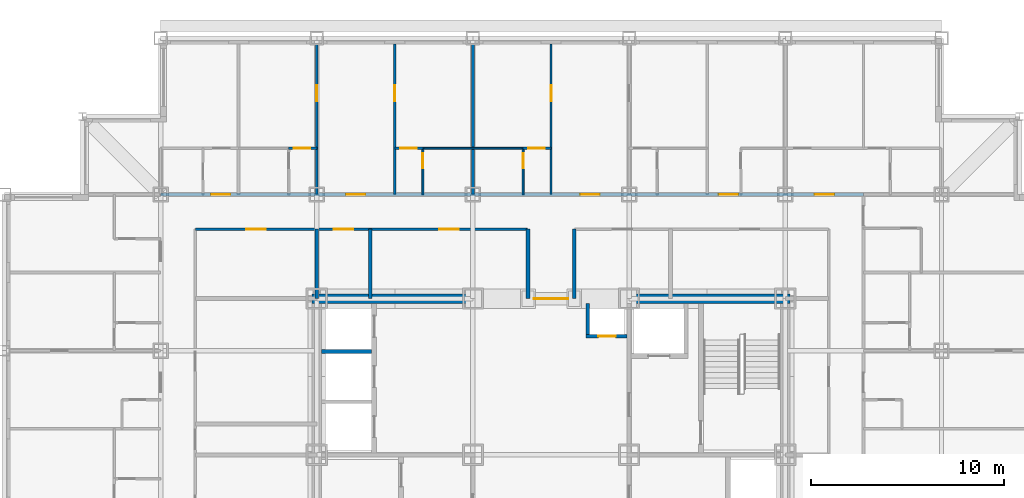
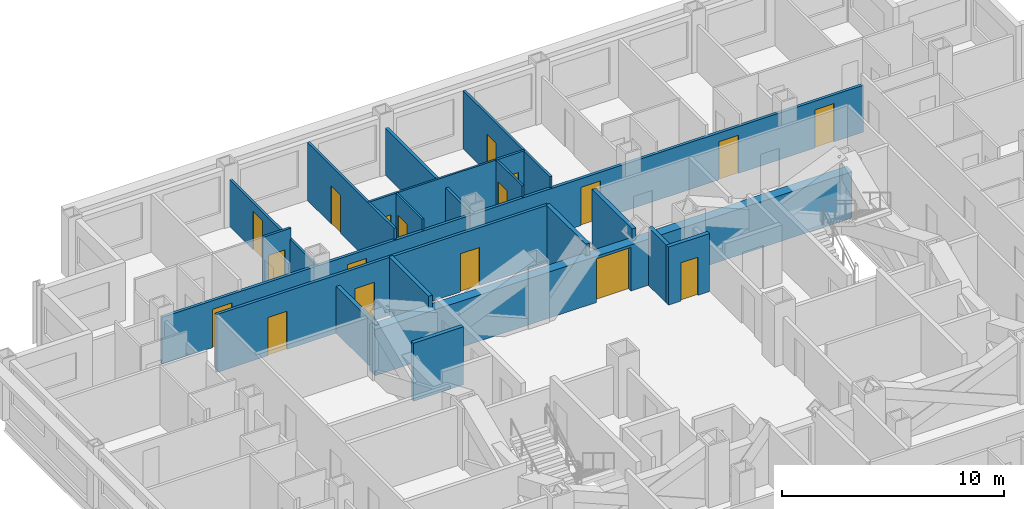
# One storey, part 10 of 13: 20 walls, 18 doors, 18 openings.
"""IFC4 building model written with IfcOpenShell, lengths in metres."""

from ifc_helpers import new_model, si_unit, direction, frame, frame_2d, origin, place, context, subcontext, project, spatial, rectangle, extrude, material, layer, layer_set, type_object, element, fill, save


model = new_model("IFC4")

# Units and contexts
model_context = context("Model", 3, precision=1e-05, world=origin(), true_north=direction((0.0, 1.0)))
body_context = subcontext(model_context, "Body", "Model", "MODEL_VIEW")
ifc_project = project(units=[si_unit("LENGTHUNIT", "METRE"), si_unit("AREAUNIT", "SQUARE_METRE"), si_unit("VOLUMEUNIT", "CUBIC_METRE"), si_unit("PLANEANGLEUNIT", "RADIAN"), si_unit("MASSUNIT", "GRAM", prefix="KILO")], contexts=[model_context])

# Site, building, storey
site_placement = place(None, origin())
site = spatial("IfcSite", under=ifc_project, at=site_placement, CompositionType="ELEMENT")
building_placement = place(site_placement, origin())
building = spatial("IfcBuilding", under=site, at=building_placement, Name="Kopane Lantern Tower", CompositionType="ELEMENT")
storey_placement = place(building_placement, frame((0.0, 0.0, 134.0)))
storey = spatial("IfcBuildingStorey", under=building, at=storey_placement, Name="L34", CompositionType="ELEMENT", Elevation=134.0)

# Wall, opening, door
ifc_material_1 = material(Name="Gypsum board on steel studs", Category="steel")
ifc_layer_1 = layer(ifc_material_1, 0.1201171875)
ifc_layer_set_1 = layer_set([ifc_layer_1], Name="APARTMENT INTERNAL WALL 120")
wall_type_1 = type_object("IfcWallType", Name="APARTMENT INTERNAL WALL 120", PredefinedType="PARTITIONING", material=ifc_layer_set_1)
wall_1_placement = place(storey_placement, frame((16.199951171875, 45.89990234375, 0.0), z_axis=(0.0, 0.0, 1.0), x_axis=(0.0, 1.0, 0.0)))
wall_1 = element("IfcWall", 1, at=wall_1_placement, inside=storey, type_object=wall_type_1, Name="Apartment Internal Wall 120 L34", PredefinedType="PARTITIONING", context=body_context, shape_type="SweptSolid", body=[
    extrude(rectangle(XDim=7.800048828125, YDim=0.1201171875, at=frame_2d((3.89990234375, 0.0))), origin(), (0.0, 0.0, 1.0), 2.577880859375),
])
opening_1_placement = place(wall_1_placement, frame((4.824951171875, 0.0, 0.0)))
opening_1 = element("IfcOpeningElement", 2, at=opening_1_placement, cuts=wall_1, Name="Opening L34-033", PredefinedType="OPENING", context=body_context, shape_type="SweptSolid", body=[
    extrude(rectangle(XDim=0.85009765625, YDim=2.10009765625, at=frame_2d((0.425048828125, 1.050048828125))), frame((0.0, 0.070068359375, 0.0), z_axis=(0.0, -1.0, 0.0), x_axis=(1.0, 0.0, 0.0)), (0.0, 0.0, 1.0), 0.14013671875),
])
ifc_material_2 = material(Name="Timber door set", Category="wood")
door_type_1 = type_object("IfcDoorType", Name="DOOR D4 850x2100", OperationType="SINGLE_SWING_LEFT", PredefinedType="DOOR", material=ifc_material_2)
door_1_placement = place(opening_1_placement, origin())
door_1 = element("IfcDoor", 3, at=door_1_placement, inside=storey, type_object=door_type_1, Name="Door L34-033", OperationType="SINGLE_SWING_LEFT", OverallHeight=2.10009765625, OverallWidth=0.85009765625, PredefinedType="DOOR", context=body_context, shape_type="SweptSolid", body=[
    extrude(rectangle(XDim=0.85009765625, YDim=2.10009765625, at=frame_2d((0.425048828125, 1.050048828125))), frame((0.0, 0.02490234375, 0.0), z_axis=(0.0, -1.0, 0.0), x_axis=(1.0, 0.0, 0.0)), (0.0, 0.0, 1.0), 0.050048828125),
])
fill(opening_1, door_1)

wall_2_placement = place(storey_placement, frame((20.25, 45.89990234375, 0.0), z_axis=(0.0, 0.0, 1.0), x_axis=(0.0, 1.0, 0.0)))
wall_2 = element("IfcWall", 4, at=wall_2_placement, inside=storey, type_object=wall_type_1, Name="Apartment Internal Wall 120 L34", PredefinedType="PARTITIONING", context=body_context, shape_type="SweptSolid", body=[
    extrude(rectangle(XDim=7.800048828125, YDim=0.1201171875, at=frame_2d((3.89990234375, 0.0))), origin(), (0.0, 0.0, 1.0), 3.18994140625),
])
opening_2_placement = place(wall_2_placement, frame((4.824951171875, 0.0, 0.0)))
opening_2 = element("IfcOpeningElement", 5, at=opening_2_placement, cuts=wall_2, Name="Opening L34-035", PredefinedType="OPENING", context=body_context, shape_type="SweptSolid", body=[
    extrude(rectangle(XDim=0.85009765625, YDim=2.10009765625, at=frame_2d((0.425048828125, 1.050048828125))), frame((0.0, 0.070068359375, 0.0), z_axis=(0.0, -1.0, 0.0), x_axis=(1.0, 0.0, 0.0)), (0.0, 0.0, 1.0), 0.14013671875),
])
door_2_placement = place(opening_2_placement, origin())
door_2 = element("IfcDoor", 6, at=door_2_placement, inside=storey, type_object=door_type_1, Name="Door L34-035", OperationType="SINGLE_SWING_RIGHT", OverallHeight=2.10009765625, OverallWidth=0.85009765625, PredefinedType="DOOR", context=body_context, shape_type="SweptSolid", body=[
    extrude(rectangle(XDim=0.85009765625, YDim=2.10009765625, at=frame_2d((0.425048828125, 1.050048828125))), frame((0.0, 0.02490234375, 0.0), z_axis=(0.0, -1.0, 0.0), x_axis=(1.0, 0.0, 0.0)), (0.0, 0.0, 1.0), 0.050048828125),
])
fill(opening_2, door_2)

wall_3_placement = place(storey_placement, frame((28.35009765625, 45.89990234375, 0.0), z_axis=(0.0, 0.0, 1.0), x_axis=(0.0, 1.0, 0.0)))
wall_3 = element("IfcWall", 7, at=wall_3_placement, inside=storey, type_object=wall_type_1, Name="Apartment Internal Wall 120 L34", PredefinedType="PARTITIONING", context=body_context, shape_type="SweptSolid", body=[
    extrude(rectangle(XDim=7.800048828125, YDim=0.1201171875, at=frame_2d((3.89990234375, 0.0))), origin(), (0.0, 0.0, 1.0), 3.18994140625),
])
opening_3_placement = place(wall_3_placement, frame((4.824951171875, 0.0, 0.0)))
opening_3 = element("IfcOpeningElement", 8, at=opening_3_placement, cuts=wall_3, Name="Opening L34-038", PredefinedType="OPENING", context=body_context, shape_type="SweptSolid", body=[
    extrude(rectangle(XDim=0.85009765625, YDim=2.10009765625, at=frame_2d((0.425048828125, 1.050048828125))), frame((0.0, 0.070068359375, 0.0), z_axis=(0.0, -1.0, 0.0), x_axis=(1.0, 0.0, 0.0)), (0.0, 0.0, 1.0), 0.14013671875),
])
door_3_placement = place(opening_3_placement, origin())
door_3 = element("IfcDoor", 9, at=door_3_placement, inside=storey, type_object=door_type_1, Name="Door L34-038", OperationType="SINGLE_SWING_LEFT", OverallHeight=2.10009765625, OverallWidth=0.85009765625, PredefinedType="DOOR", context=body_context, shape_type="SweptSolid", body=[
    extrude(rectangle(XDim=0.85009765625, YDim=2.10009765625, at=frame_2d((0.425048828125, 1.050048828125))), frame((0.0, 0.02490234375, 0.0), z_axis=(0.0, -1.0, 0.0), x_axis=(1.0, 0.0, 0.0)), (0.0, 0.0, 1.0), 0.050048828125),
])
fill(opening_3, door_3)

wall_4_placement = place(storey_placement, frame((14.739990234375, 48.300048828125, 0.0), z_axis=(0.0, 0.0, 1.0), x_axis=(1.0, 0.0, 0.0)))
wall_4 = element("IfcWall", 10, at=wall_4_placement, inside=storey, type_object=wall_type_1, Name="Apartment Internal Wall 120 L34", PredefinedType="PARTITIONING", context=body_context, shape_type="SweptSolid", body=[
    extrude(rectangle(XDim=1.4599609375, YDim=0.1201171875, at=frame_2d((0.72998046875, 0.0))), origin(), (0.0, 0.0, 1.0), 3.18994140625),
])
opening_4_placement = place(wall_4_placement, frame((0.27490234375, 0.0, 0.0)))
opening_4 = element("IfcOpeningElement", 11, at=opening_4_placement, cuts=wall_4, Name="Opening L34-090", PredefinedType="OPENING", context=body_context, shape_type="SweptSolid", body=[
    extrude(rectangle(XDim=0.85009765625, YDim=2.10009765625, at=frame_2d((0.425048828125, 1.050048828125))), frame((0.0, 0.070068359375, 0.0), z_axis=(0.0, -1.0, 0.0), x_axis=(1.0, 0.0, 0.0)), (0.0, 0.0, 1.0), 0.14013671875),
])
door_4_placement = place(opening_4_placement, origin())
door_4 = element("IfcDoor", 12, at=door_4_placement, inside=storey, type_object=door_type_1, Name="Door L34-090", OperationType="SINGLE_SWING_RIGHT", OverallHeight=2.10009765625, OverallWidth=0.85009765625, PredefinedType="DOOR", context=body_context, shape_type="SweptSolid", body=[
    extrude(rectangle(XDim=0.85009765625, YDim=2.10009765625, at=frame_2d((0.425048828125, 1.050048828125))), frame((0.0, 0.02490234375, 0.0), z_axis=(0.0, -1.0, 0.0), x_axis=(1.0, 0.0, 0.0)), (0.0, 0.0, 1.0), 0.050048828125),
])
fill(opening_4, door_4)

wall_5_placement = place(storey_placement, frame((20.25, 48.300048828125, 0.0), z_axis=(0.0, 0.0, 1.0), x_axis=(1.0, 0.0, 0.0)))
wall_5 = element("IfcWall", 13, at=wall_5_placement, inside=storey, type_object=wall_type_1, Name="Apartment Internal Wall 120 L34", PredefinedType="PARTITIONING", context=body_context, shape_type="SweptSolid", body=[
    extrude(rectangle(XDim=1.4599609375, YDim=0.1201171875, at=frame_2d((0.72998046875, 0.0))), origin(), (0.0, 0.0, 1.0), 3.18994140625),
])
opening_5_placement = place(wall_5_placement, frame((0.27490234375, 0.0, 0.0)))
opening_5 = element("IfcOpeningElement", 14, at=opening_5_placement, cuts=wall_5, Name="Opening L34-091", PredefinedType="OPENING", context=body_context, shape_type="SweptSolid", body=[
    extrude(rectangle(XDim=0.85009765625, YDim=2.10009765625, at=frame_2d((0.425048828125, 1.050048828125))), frame((0.0, 0.070068359375, 0.0), z_axis=(0.0, -1.0, 0.0), x_axis=(1.0, 0.0, 0.0)), (0.0, 0.0, 1.0), 0.14013671875),
])
door_5_placement = place(opening_5_placement, origin())
door_5 = element("IfcDoor", 15, at=door_5_placement, inside=storey, type_object=door_type_1, Name="Door L34-091", OperationType="SINGLE_SWING_LEFT", OverallHeight=2.10009765625, OverallWidth=0.85009765625, PredefinedType="DOOR", context=body_context, shape_type="SweptSolid", body=[
    extrude(rectangle(XDim=0.85009765625, YDim=2.10009765625, at=frame_2d((0.425048828125, 1.050048828125))), frame((0.0, 0.02490234375, 0.0), z_axis=(0.0, -1.0, 0.0), x_axis=(1.0, 0.0, 0.0)), (0.0, 0.0, 1.0), 0.050048828125),
])
fill(opening_5, door_5)

wall_6_placement = place(storey_placement, frame((26.889892578125, 48.300048828125, 0.0), z_axis=(0.0, 0.0, 1.0), x_axis=(1.0, 0.0, 0.0)))
wall_6 = element("IfcWall", 16, at=wall_6_placement, inside=storey, type_object=wall_type_1, Name="Apartment Internal Wall 120 L34", PredefinedType="PARTITIONING", context=body_context, shape_type="SweptSolid", body=[
    extrude(rectangle(XDim=1.460205078125, YDim=0.1201171875, at=frame_2d((0.72998046875, 0.0))), origin(), (0.0, 0.0, 1.0), 3.18994140625),
])
opening_6_placement = place(wall_6_placement, frame((0.27490234375, 0.0, 0.0)))
opening_6 = element("IfcOpeningElement", 17, at=opening_6_placement, cuts=wall_6, Name="Opening L34-092", PredefinedType="OPENING", context=body_context, shape_type="SweptSolid", body=[
    extrude(rectangle(XDim=0.85009765625, YDim=2.10009765625, at=frame_2d((0.425048828125, 1.050048828125))), frame((0.0, 0.070068359375, 0.0), z_axis=(0.0, -1.0, 0.0), x_axis=(1.0, 0.0, 0.0)), (0.0, 0.0, 1.0), 0.14013671875),
])
door_6_placement = place(opening_6_placement, origin())
door_6 = element("IfcDoor", 18, at=door_6_placement, inside=storey, type_object=door_type_1, Name="Door L34-092", OperationType="SINGLE_SWING_RIGHT", OverallHeight=2.10009765625, OverallWidth=0.85009765625, PredefinedType="DOOR", context=body_context, shape_type="SweptSolid", body=[
    extrude(rectangle(XDim=0.85009765625, YDim=2.10009765625, at=frame_2d((0.425048828125, 1.050048828125))), frame((0.0, 0.02490234375, 0.0), z_axis=(0.0, -1.0, 0.0), x_axis=(1.0, 0.0, 0.0)), (0.0, 0.0, 1.0), 0.050048828125),
])
fill(opening_6, door_6)

# Wall
ifc_material_3 = material(Name="Moisture-resistant board on steel studs", Category="steel")
ifc_layer_2 = layer(ifc_material_3, 0.10009765625)
ifc_layer_set_2 = layer_set([ifc_layer_2], Name="BATHROOM WALL 100")
wall_type_2 = type_object("IfcWallType", Name="BATHROOM WALL 100", PredefinedType="PARTITIONING", material=ifc_layer_set_2)
wall_7_placement = place(storey_placement, frame((21.699951171875, 48.300048828125, 0.0), z_axis=(0.0, 0.0, 1.0), x_axis=(1.0, 0.0, 0.0)))
element("IfcWall", 19, at=wall_7_placement, inside=storey, type_object=wall_type_2, Name="Bathroom Wall 100 L34", PredefinedType="PARTITIONING", context=body_context, shape_type="SweptSolid", body=[
    extrude(rectangle(XDim=5.199951171875, YDim=0.10009765625, at=frame_2d((2.60009765625, 0.0))), origin(), (0.0, 0.0, 1.0), 3.18994140625),
])

# Wall, opening, door
wall_8_placement = place(storey_placement, frame((21.699951171875, 45.89990234375, 0.0), z_axis=(0.0, 0.0, 1.0), x_axis=(0.0, 1.0, 0.0)))
wall_8 = element("IfcWall", 20, at=wall_8_placement, inside=storey, type_object=wall_type_2, Name="Bathroom Wall 100 L34", PredefinedType="PARTITIONING", context=body_context, shape_type="SweptSolid", body=[
    extrude(rectangle(XDim=2.400146484375, YDim=0.10009765625, at=frame_2d((1.2001953125, 0.0))), origin(), (0.0, 0.0, 1.0), 3.18994140625),
])
opening_7_placement = place(wall_8_placement, frame((1.35009765625, 0.0, 0.0)))
opening_7 = element("IfcOpeningElement", 21, at=opening_7_placement, cuts=wall_8, Name="Opening L34-034", PredefinedType="OPENING", context=body_context, shape_type="SweptSolid", body=[
    extrude(rectangle(XDim=0.800048828125, YDim=2.10009765625, at=frame_2d((0.39990234375, 1.050048828125))), frame((0.0, 0.06005859375, 0.0), z_axis=(0.0, -1.0, 0.0), x_axis=(1.0, 0.0, 0.0)), (0.0, 0.0, 1.0), 0.1201171875),
])
ifc_material_4 = material(Name="Timber door set", Category="wood")
door_type_2 = type_object("IfcDoorType", Name="DOOR D2 800x2100", OperationType="SINGLE_SWING_LEFT", PredefinedType="DOOR", material=ifc_material_4)
door_7_placement = place(opening_7_placement, origin())
door_7 = element("IfcDoor", 22, at=door_7_placement, inside=storey, type_object=door_type_2, Name="Door L34-034", OperationType="SINGLE_SWING_RIGHT", OverallHeight=2.10009765625, OverallWidth=0.800048828125, PredefinedType="DOOR", context=body_context, shape_type="SweptSolid", body=[
    extrude(rectangle(XDim=0.800048828125, YDim=2.10009765625, at=frame_2d((0.39990234375, 1.050048828125))), frame((0.0, 0.02490234375, 0.0), z_axis=(0.0, -1.0, 0.0), x_axis=(1.0, 0.0, 0.0)), (0.0, 0.0, 1.0), 0.050048828125),
])
fill(opening_7, door_7)

wall_9_placement = place(storey_placement, frame((26.89990234375, 45.89990234375, 0.0), z_axis=(0.0, 0.0, 1.0), x_axis=(0.0, 1.0, 0.0)))
wall_9 = element("IfcWall", 23, at=wall_9_placement, inside=storey, type_object=wall_type_2, Name="Bathroom Wall 100 L34", PredefinedType="PARTITIONING", context=body_context, shape_type="SweptSolid", body=[
    extrude(rectangle(XDim=2.400146484375, YDim=0.10009765625, at=frame_2d((1.2001953125, 0.0))), origin(), (0.0, 0.0, 1.0), 3.18994140625),
])
opening_8_placement = place(wall_9_placement, frame((1.35009765625, 0.0, 0.0)))
opening_8 = element("IfcOpeningElement", 24, at=opening_8_placement, cuts=wall_9, Name="Opening L34-037", PredefinedType="OPENING", context=body_context, shape_type="SweptSolid", body=[
    extrude(rectangle(XDim=0.800048828125, YDim=2.10009765625, at=frame_2d((0.39990234375, 1.050048828125))), frame((0.0, 0.06005859375, 0.0), z_axis=(0.0, -1.0, 0.0), x_axis=(1.0, 0.0, 0.0)), (0.0, 0.0, 1.0), 0.1201171875),
])
door_8_placement = place(opening_8_placement, origin())
door_8 = element("IfcDoor", 25, at=door_8_placement, inside=storey, type_object=door_type_2, Name="Door L34-037", OperationType="SINGLE_SWING_LEFT", OverallHeight=2.10009765625, OverallWidth=0.800048828125, PredefinedType="DOOR", context=body_context, shape_type="SweptSolid", body=[
    extrude(rectangle(XDim=0.800048828125, YDim=2.10009765625, at=frame_2d((0.39990234375, 1.050048828125))), frame((0.0, 0.02490234375, 0.0), z_axis=(0.0, -1.0, 0.0), x_axis=(1.0, 0.0, 0.0)), (0.0, 0.0, 1.0), 0.050048828125),
])
fill(opening_8, door_8)

ifc_material_5 = material(Name="Gypsum shaft wall EI 120", Category="gypsum")
ifc_layer_3 = layer(ifc_material_5, 0.5)
ifc_layer_set_3 = layer_set([ifc_layer_3], Name="CORE PERIMETER WALL 500 EI 120")
wall_type_3 = type_object("IfcWallType", Name="CORE PERIMETER WALL 500 EI 120", PredefinedType="SOLIDWALL", material=ifc_layer_set_3)
wall_10_placement = place(storey_placement, frame((15.949951171875, 40.5, 0.0), z_axis=(0.0, 0.0, 1.0), x_axis=(1.0, 0.0, 0.0)))
wall_10 = element("IfcWall", 26, at=wall_10_placement, inside=storey, type_object=wall_type_3, Name="Core shaft wall L34 PN", PredefinedType="SOLIDWALL", context=body_context, shape_type="SweptSolid", body=[
    extrude(rectangle(XDim=24.800048828125, YDim=0.5, at=frame_2d((12.39990234375, 0.0))), origin(), (0.0, 0.0, 1.0), 2.5400390625),
])
opening_9_placement = place(wall_10_placement, frame((11.5, 0.0, 0.0)))
opening_9 = element("IfcOpeningElement", 27, at=opening_9_placement, cuts=wall_10, Name="Opening 34.CE-N", PredefinedType="OPENING", context=body_context, shape_type="SweptSolid", body=[
    extrude(rectangle(XDim=1.800048828125, YDim=2.39990234375, at=frame_2d((0.89990234375, 1.199951171875))), frame((0.0, 0.260009765625, 0.0), z_axis=(0.0, -1.0, 0.0), x_axis=(1.0, 0.0, 0.0)), (0.0, 0.0, 1.0), 0.52001953125),
])
ifc_material_6 = material(Name="Steel door set", Category="steel")
door_type_3 = type_object("IfcDoorType", Name="CORE ENTRY DOOR 1800x2400 FD60S", OperationType="DOUBLE_DOOR_SINGLE_SWING", PredefinedType="DOOR", material=ifc_material_6)
door_9_placement = place(opening_9_placement, origin())
door_9 = element("IfcDoor", 28, at=door_9_placement, inside=storey, type_object=door_type_3, Name="Core entry door L34 north", OperationType="DOUBLE_DOOR_SINGLE_SWING", OverallHeight=2.39990234375, OverallWidth=1.800048828125, PredefinedType="DOOR", context=body_context, shape_type="SweptSolid", body=[
    extrude(rectangle(XDim=1.800048828125, YDim=2.39990234375, at=frame_2d((0.89990234375, 1.199951171875))), frame((0.0, 0.02490234375, 0.0), z_axis=(0.0, -1.0, 0.0), x_axis=(1.0, 0.0, 0.0)), (0.0, 0.0, 1.0), 0.050048828125),
])
fill(opening_9, door_9)

# Wall, openings, doors
ifc_material_7 = material(Name="Gypsum board on steel studs", Category="steel")
ifc_layer_4 = layer(ifc_material_7, 0.14990234375)
ifc_layer_set_4 = layer_set([ifc_layer_4], Name="CORRIDOR WALL 150 EI 60")
wall_type_4 = type_object("IfcWallType", Name="CORRIDOR WALL 150 EI 60", PredefinedType="PARTITIONING", material=ifc_layer_set_4)
wall_11_placement = place(storey_placement, frame((8.10009765625, 45.89990234375, 0.0), z_axis=(0.0, 0.0, 1.0), x_axis=(1.0, 0.0, 0.0)))
wall_11 = element("IfcWall", 29, at=wall_11_placement, inside=storey, type_object=wall_type_4, Name="Corridor Wall 150 Ei 60 L34", PredefinedType="PARTITIONING", context=body_context, shape_type="SweptSolid", body=[
    extrude(rectangle(XDim=36.449951171875, YDim=0.14990234375, at=frame_2d((18.22509765625, 0.0))), origin(), (0.0, 0.0, 1.0), 2.577880859375),
])
opening_10_placement = place(wall_11_placement, frame((9.625, 0.0, 0.0)))
opening_10 = element("IfcOpeningElement", 30, at=opening_10_placement, cuts=wall_11, Name="Opening L34-031", PredefinedType="OPENING", context=body_context, shape_type="SweptSolid", body=[
    extrude(rectangle(XDim=1.0, YDim=2.10009765625, at=frame_2d((0.5, 1.050048828125))), frame((0.0, 0.0849609375, 0.0), z_axis=(0.0, -1.0, 0.0), x_axis=(1.0, 0.0, 0.0)), (0.0, 0.0, 1.0), 0.169921875),
])
opening_11_placement = place(wall_11_placement, frame((21.77490234375, 0.0, 0.0)))
opening_11 = element("IfcOpeningElement", 31, at=opening_11_placement, cuts=wall_11, Name="Opening L34-036", PredefinedType="OPENING", context=body_context, shape_type="SweptSolid", body=[
    extrude(rectangle(XDim=1.0, YDim=2.10009765625, at=frame_2d((0.5, 1.050048828125))), frame((0.0, 0.0849609375, 0.0), z_axis=(0.0, -1.0, 0.0), x_axis=(1.0, 0.0, 0.0)), (0.0, 0.0, 1.0), 0.169921875),
])
opening_12_placement = place(wall_11_placement, frame((28.949951171875, 0.0, 0.0)))
opening_12 = element("IfcOpeningElement", 32, at=opening_12_placement, cuts=wall_11, Name="Opening L34-042", PredefinedType="OPENING", context=body_context, shape_type="SweptSolid", body=[
    extrude(rectangle(XDim=1.0, YDim=2.10009765625, at=frame_2d((0.5, 1.050048828125))), frame((0.0, 0.0849609375, 0.0), z_axis=(0.0, -1.0, 0.0), x_axis=(1.0, 0.0, 0.0)), (0.0, 0.0, 1.0), 0.169921875),
])
opening_13_placement = place(wall_11_placement, frame((33.925048828125, 0.0, 0.0)))
opening_13 = element("IfcOpeningElement", 33, at=opening_13_placement, cuts=wall_11, Name="Opening L34-080", PredefinedType="OPENING", context=body_context, shape_type="SweptSolid", body=[
    extrude(rectangle(XDim=1.0, YDim=2.10009765625, at=frame_2d((0.5, 1.050048828125))), frame((0.0, 0.0849609375, 0.0), z_axis=(0.0, -1.0, 0.0), x_axis=(1.0, 0.0, 0.0)), (0.0, 0.0, 1.0), 0.169921875),
])
opening_14_placement = place(wall_11_placement, frame((2.625, 0.0, 0.0)))
opening_14 = element("IfcOpeningElement", 34, at=opening_14_placement, cuts=wall_11, Name="Opening L34-085", PredefinedType="OPENING", context=body_context, shape_type="SweptSolid", body=[
    extrude(rectangle(XDim=1.0, YDim=2.10009765625, at=frame_2d((0.5, 1.050048828125))), frame((0.0, 0.0849609375, 0.0), z_axis=(0.0, -1.0, 0.0), x_axis=(1.0, 0.0, 0.0)), (0.0, 0.0, 1.0), 0.169921875),
])
ifc_material_8 = material(Name="Steel door set", Category="steel")
door_type_4 = type_object("IfcDoorType", Name="DOOR D1 1000x2100 FD30S", OperationType="SINGLE_SWING_LEFT", PredefinedType="DOOR", material=ifc_material_8)
door_10_placement = place(opening_10_placement, origin())
door_10 = element("IfcDoor", 35, at=door_10_placement, inside=storey, type_object=door_type_4, Name="Door L34-031", OperationType="SINGLE_SWING_RIGHT", OverallHeight=2.10009765625, OverallWidth=1.0, PredefinedType="DOOR", context=body_context, shape_type="SweptSolid", body=[
    extrude(rectangle(XDim=1.0, YDim=2.10009765625, at=frame_2d((0.5, 1.050048828125))), frame((0.0, 0.02490234375, 0.0), z_axis=(0.0, -1.0, 0.0), x_axis=(1.0, 0.0, 0.0)), (0.0, 0.0, 1.0), 0.050048828125),
])
fill(opening_10, door_10)
door_11_placement = place(opening_11_placement, origin())
door_11 = element("IfcDoor", 36, at=door_11_placement, inside=storey, type_object=door_type_4, Name="Door L34-036", OperationType="SINGLE_SWING_LEFT", OverallHeight=2.10009765625, OverallWidth=1.0, PredefinedType="DOOR", context=body_context, shape_type="SweptSolid", body=[
    extrude(rectangle(XDim=1.0, YDim=2.10009765625, at=frame_2d((0.5, 1.050048828125))), frame((0.0, 0.02490234375, 0.0), z_axis=(0.0, -1.0, 0.0), x_axis=(1.0, 0.0, 0.0)), (0.0, 0.0, 1.0), 0.050048828125),
])
fill(opening_11, door_11)
door_12_placement = place(opening_12_placement, origin())
door_12 = element("IfcDoor", 37, at=door_12_placement, inside=storey, type_object=door_type_4, Name="Door L34-042", OperationType="SINGLE_SWING_RIGHT", OverallHeight=2.10009765625, OverallWidth=1.0, PredefinedType="DOOR", context=body_context, shape_type="SweptSolid", body=[
    extrude(rectangle(XDim=1.0, YDim=2.10009765625, at=frame_2d((0.5, 1.050048828125))), frame((0.0, 0.02490234375, 0.0), z_axis=(0.0, -1.0, 0.0), x_axis=(1.0, 0.0, 0.0)), (0.0, 0.0, 1.0), 0.050048828125),
])
fill(opening_12, door_12)
door_13_placement = place(opening_13_placement, origin())
door_13 = element("IfcDoor", 38, at=door_13_placement, inside=storey, type_object=door_type_4, Name="Door L34-080", OperationType="SINGLE_SWING_LEFT", OverallHeight=2.10009765625, OverallWidth=1.0, PredefinedType="DOOR", context=body_context, shape_type="SweptSolid", body=[
    extrude(rectangle(XDim=1.0, YDim=2.10009765625, at=frame_2d((0.5, 1.050048828125))), frame((0.0, 0.02490234375, 0.0), z_axis=(0.0, -1.0, 0.0), x_axis=(1.0, 0.0, 0.0)), (0.0, 0.0, 1.0), 0.050048828125),
])
fill(opening_13, door_13)
door_14_placement = place(opening_14_placement, origin())
door_14 = element("IfcDoor", 39, at=door_14_placement, inside=storey, type_object=door_type_4, Name="Door L34-085", OperationType="SINGLE_SWING_LEFT", OverallHeight=2.10009765625, OverallWidth=1.0, PredefinedType="DOOR", context=body_context, shape_type="SweptSolid", body=[
    extrude(rectangle(XDim=1.0, YDim=2.10009765625, at=frame_2d((0.5, 1.050048828125))), frame((0.0, 0.02490234375, 0.0), z_axis=(0.0, -1.0, 0.0), x_axis=(1.0, 0.0, 0.0)), (0.0, 0.0, 1.0), 0.050048828125),
])
fill(opening_14, door_14)

wall_12_placement = place(storey_placement, frame((27.139892578125, 44.10009765625, 0.0), z_axis=(0.0, 0.0, 1.0), x_axis=(-1.0, 0.0, 0.0)))
wall_12 = element("IfcWall", 40, at=wall_12_placement, inside=storey, type_object=wall_type_4, Name="Corridor Wall 150 Ei 60 L34", PredefinedType="PARTITIONING", context=body_context, shape_type="SweptSolid", body=[
    extrude(rectangle(XDim=17.239990234375, YDim=0.14990234375, at=frame_2d((8.6201171875, 0.0))), origin(), (0.0, 0.0, 1.0), 3.18994140625),
])
opening_15_placement = place(wall_12_placement, frame((13.590087890625, 0.0, 0.0)))
opening_15 = element("IfcOpeningElement", 41, at=opening_15_placement, cuts=wall_12, Name="Opening L34-013", PredefinedType="OPENING", context=body_context, shape_type="SweptSolid", body=[
    extrude(rectangle(XDim=1.0, YDim=2.10009765625, at=frame_2d((0.5, 1.050048828125))), frame((0.0, 0.0849609375, 0.0), z_axis=(0.0, -1.0, 0.0), x_axis=(1.0, 0.0, 0.0)), (0.0, 0.0, 1.0), 0.169921875),
])
opening_16_placement = place(wall_12_placement, frame((9.051025390625, 0.0, 0.0)))
opening_16 = element("IfcOpeningElement", 42, at=opening_16_placement, cuts=wall_12, Name="Opening L34-014", PredefinedType="OPENING", context=body_context, shape_type="SweptSolid", body=[
    extrude(rectangle(XDim=1.0, YDim=2.10009765625, at=frame_2d((0.5, 1.050048828125))), frame((0.0, 0.0849609375, 0.0), z_axis=(0.0, -1.0, 0.0), x_axis=(1.0, 0.0, 0.0)), (0.0, 0.0, 1.0), 0.169921875),
])
opening_17_placement = place(wall_12_placement, frame((3.576171875, 0.0, 0.0)))
opening_17 = element("IfcOpeningElement", 43, at=opening_17_placement, cuts=wall_12, Name="Opening L34-015", PredefinedType="OPENING", context=body_context, shape_type="SweptSolid", body=[
    extrude(rectangle(XDim=1.0, YDim=2.10009765625, at=frame_2d((0.5, 1.050048828125))), frame((0.0, 0.0849609375, 0.0), z_axis=(0.0, -1.0, 0.0), x_axis=(1.0, 0.0, 0.0)), (0.0, 0.0, 1.0), 0.169921875),
])
ifc_material_9 = material(Name="Steel door set", Category="steel")
door_type_5 = type_object("IfcDoorType", Name="DOOR D5 1000x2100 FD60", OperationType="SINGLE_SWING_LEFT", PredefinedType="DOOR", material=ifc_material_9)
door_15_placement = place(opening_15_placement, origin())
door_15 = element("IfcDoor", 44, at=door_15_placement, inside=storey, type_object=door_type_5, Name="Door L34-013", OperationType="SINGLE_SWING_LEFT", OverallHeight=2.10009765625, OverallWidth=1.0, PredefinedType="DOOR", context=body_context, shape_type="SweptSolid", body=[
    extrude(rectangle(XDim=1.0, YDim=2.10009765625, at=frame_2d((0.5, 1.050048828125))), frame((0.0, 0.02490234375, 0.0), z_axis=(0.0, -1.0, 0.0), x_axis=(1.0, 0.0, 0.0)), (0.0, 0.0, 1.0), 0.050048828125),
])
fill(opening_15, door_15)
door_16_placement = place(opening_16_placement, origin())
door_16 = element("IfcDoor", 45, at=door_16_placement, inside=storey, type_object=door_type_5, Name="Door L34-014", OperationType="SINGLE_SWING_RIGHT", OverallHeight=2.10009765625, OverallWidth=1.0, PredefinedType="DOOR", context=body_context, shape_type="SweptSolid", body=[
    extrude(rectangle(XDim=1.0, YDim=2.10009765625, at=frame_2d((0.5, 1.050048828125))), frame((0.0, 0.02490234375, 0.0), z_axis=(0.0, -1.0, 0.0), x_axis=(1.0, 0.0, 0.0)), (0.0, 0.0, 1.0), 0.050048828125),
])
fill(opening_16, door_16)
door_17_placement = place(opening_17_placement, origin())
door_17 = element("IfcDoor", 46, at=door_17_placement, inside=storey, type_object=door_type_5, Name="Door L34-015", OperationType="SINGLE_SWING_LEFT", OverallHeight=2.10009765625, OverallWidth=1.0, PredefinedType="DOOR", context=body_context, shape_type="SweptSolid", body=[
    extrude(rectangle(XDim=1.0, YDim=2.10009765625, at=frame_2d((0.5, 1.050048828125))), frame((0.0, 0.02490234375, 0.0), z_axis=(0.0, -1.0, 0.0), x_axis=(1.0, 0.0, 0.0)), (0.0, 0.0, 1.0), 0.050048828125),
])
fill(opening_17, door_17)

# Walls
ifc_material_10 = material(Name="Gypsum board on steel studs", Category="steel")
ifc_layer_5 = layer(ifc_material_10, 0.14990234375)
ifc_layer_set_5 = layer_set([ifc_layer_5], Name="DEMISING WALL 150 EI 60")
wall_type_5 = type_object("IfcWallType", Name="DEMISING WALL 150 EI 60", PredefinedType="PARTITIONING", material=ifc_layer_set_5)
wall_13_placement = place(storey_placement, frame((24.300048828125, 45.89990234375, 0.0), z_axis=(0.0, 0.0, 1.0), x_axis=(0.0, 1.0, 0.0)))
element("IfcWall", 47, at=wall_13_placement, inside=storey, type_object=wall_type_5, Name="Demising Wall 150 Ei 60 L34", PredefinedType="PARTITIONING", context=body_context, shape_type="SweptSolid", body=[
    extrude(rectangle(XDim=7.800048828125, YDim=0.14990234375, at=frame_2d((3.89990234375, 0.0))), origin(), (0.0, 0.0, 1.0), 2.577880859375),
])
ifc_material_11 = material(Name="Concrete masonry", Category="masonry")
ifc_layer_6 = layer(ifc_material_11, 0.199951171875)
ifc_layer_set_6 = layer_set([ifc_layer_6], Name="PLANT ROOM WALL 200 EI 120")
wall_type_6 = type_object("IfcWallType", Name="PLANT ROOM WALL 200 EI 120", PredefinedType="SOLIDWALL", material=ifc_layer_set_6)
wall_14_placement = place(storey_placement, frame((16.199951171875, 40.5, 0.0), z_axis=(0.0, 0.0, 1.0), x_axis=(0.0, 1.0, 0.0)))
element("IfcWall", 48, at=wall_14_placement, inside=storey, type_object=wall_type_6, Name="Plant Room Wall 200 Ei 120 L34", PredefinedType="SOLIDWALL", context=body_context, shape_type="SweptSolid", body=[
    extrude(rectangle(XDim=3.60009765625, YDim=0.199951171875, at=frame_2d((1.800048828125, 0.0))), origin(), (0.0, 0.0, 1.0), 2.577880859375),
])
for number, where, z_axis, x_axis, name in (
    (49, (18.977783203125, 44.10009765625, 0.0), (0.0, 0.0, 1.0), (0.0, -1.0, 0.0), "Plant Room Wall 200 Ei 120 L34"),
    (50, (27.14990234375, 40.5, 0.0), (0.0, 0.0, 1.0), (0.0, 1.0, 0.0), "Plant Room Wall 200 Ei 120 L34"),
    (51, (29.550048828125, 40.5, 0.0), (0.0, 0.0, 1.0), (0.0, 1.0, 0.0), "Plant Room Wall 200 Ei 120 L34"),
):
    element("IfcWall", number, at=place(storey_placement, frame(where, z_axis=z_axis, x_axis=x_axis)), inside=storey, type_object=wall_type_6, Name=name, PredefinedType="SOLIDWALL", context=body_context, shape_type="SweptSolid", body=[
        extrude(rectangle(XDim=3.60009765625, YDim=0.199951171875, at=frame_2d((1.800048828125, 0.0))), origin(), (0.0, 0.0, 1.0), 3.18994140625),
    ])
ifc_material_12 = material(Name="Gypsum shaft wall EI 120", Category="gypsum")
ifc_layer_7 = layer(ifc_material_12, 0.199951171875)
ifc_layer_set_7 = layer_set([ifc_layer_7], Name="SHAFT WALL 200 EI 120")
wall_type_7 = type_object("IfcWallType", Name="SHAFT WALL 200 EI 120", PredefinedType="SOLIDWALL", material=ifc_layer_set_7)
wall_15_placement = place(storey_placement, frame((16.449951171875, 37.75, 0.0), z_axis=(0.0, 0.0, 1.0), x_axis=(1.0, 0.0, 0.0)))
element("IfcWall", 52, at=wall_15_placement, inside=storey, type_object=wall_type_7, Name="Core shaft wall L34 YLH23", PredefinedType="SOLIDWALL", context=body_context, shape_type="SweptSolid", body=[
    extrude(rectangle(XDim=2.60009765625, YDim=0.199951171875, at=frame_2d((1.300048828125, 0.0))), origin(), (0.0, 0.0, 1.0), 3.18994140625),
])
wall_16_placement = place(storey_placement, frame((30.25, 38.64990234375, 0.0), z_axis=(0.0, 0.0, 1.0), x_axis=(0.0, 1.0, 0.0)))
element("IfcWall", 53, at=wall_16_placement, inside=storey, type_object=wall_type_7, Name="Core shaft wall L34 XRS2", PredefinedType="SOLIDWALL", context=body_context, shape_type="SweptSolid", body=[
    extrude(rectangle(XDim=1.60009765625, YDim=0.199951171875, at=frame_2d((0.800048828125, 0.0))), origin(), (0.0, 0.0, 1.0), 3.18994140625),
])

# Wall, opening, door
wall_17_placement = place(storey_placement, frame((30.14990234375, 38.550048828125, 0.0), z_axis=(0.0, 0.0, 1.0), x_axis=(1.0, 0.0, 0.0)))
wall_17 = element("IfcWall", 54, at=wall_17_placement, inside=storey, type_object=wall_type_7, Name="Core shaft wall L34 YRS2", PredefinedType="SOLIDWALL", context=body_context, shape_type="SweptSolid", body=[
    extrude(rectangle(XDim=2.150146484375, YDim=0.199951171875, at=frame_2d((1.0751953125, 0.0))), origin(), (0.0, 0.0, 1.0), 3.18994140625),
])
opening_18_placement = place(wall_17_placement, frame((0.64990234375, 0.0, 0.0)))
opening_18 = element("IfcOpeningElement", 55, at=opening_18_placement, cuts=wall_17, Name="Opening 34.RS2", PredefinedType="OPENING", context=body_context, shape_type="SweptSolid", body=[
    extrude(rectangle(XDim=0.89990234375, YDim=2.10009765625, at=frame_2d((0.449951171875, 1.050048828125))), frame((0.0, 0.10986328125, 0.0), z_axis=(0.0, -1.0, 0.0), x_axis=(1.0, 0.0, 0.0)), (0.0, 0.0, 1.0), 0.219970703125),
])
ifc_material_13 = material(Name="Steel door set", Category="steel")
door_type_6 = type_object("IfcDoorType", Name="RISER ACCESS DOOR 900x2100 FD60", OperationType="SINGLE_SWING_LEFT", PredefinedType="DOOR", material=ifc_material_13)
door_18_placement = place(opening_18_placement, origin())
door_18 = element("IfcDoor", 56, at=door_18_placement, inside=storey, type_object=door_type_6, Name="Riser access door RS2 L34", OperationType="SINGLE_SWING_LEFT", OverallHeight=2.10009765625, OverallWidth=0.89990234375, PredefinedType="DOOR", context=body_context, shape_type="SweptSolid", body=[
    extrude(rectangle(XDim=0.89990234375, YDim=2.10009765625, at=frame_2d((0.449951171875, 1.050048828125))), frame((0.0, 0.02490234375, 0.0), z_axis=(0.0, -1.0, 0.0), x_axis=(1.0, 0.0, 0.0)), (0.0, 0.0, 1.0), 0.050048828125),
])
fill(opening_18, door_18)

save(model, "model.ifc")
